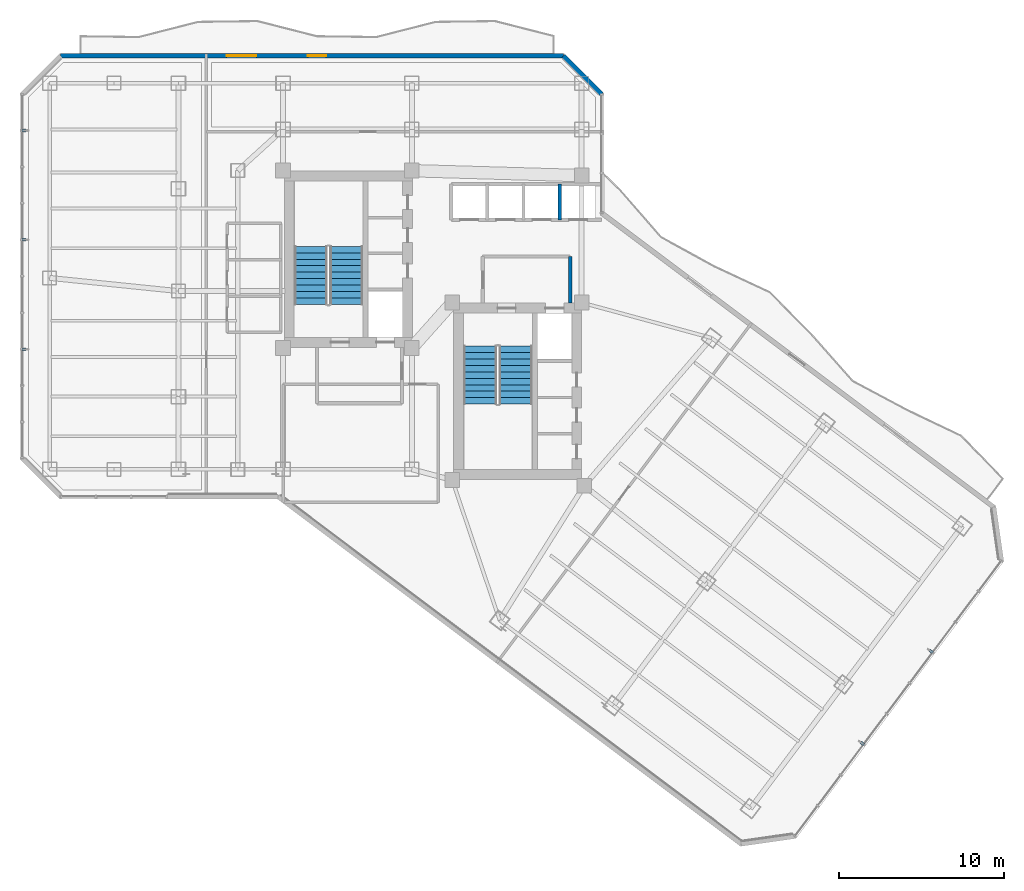
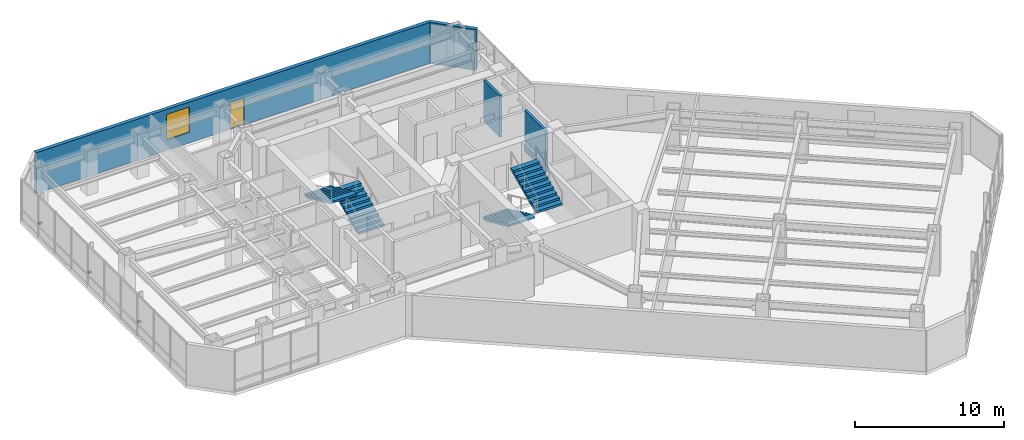
# One storey, part 24 of 29: 5 discrete accessories, 4 stair flights, 4 walls, 1 door, 1 window, 2 openings, 2 elements without a shape of their own.
"""IFC4 building model written with IfcOpenShell, lengths in metres."""

from ifc_helpers import new_model, si_unit, direction, frame, frame_2d, origin, origin_2d, place, context, subcontext, project, spatial, polyline, rectangle, outline, extrude, material, layer, layer_set, type_object, element, fill, aggregate, save


model = new_model("IFC4")

# Units and contexts
model_context = context("Model", 3, precision=1e-05, world=origin(), true_north=direction((0.0, 1.0)))
body_context = subcontext(model_context, "Body", "Model", "MODEL_VIEW")
ifc_project = project(units=[si_unit("LENGTHUNIT", "METRE"), si_unit("AREAUNIT", "SQUARE_METRE"), si_unit("VOLUMEUNIT", "CUBIC_METRE"), si_unit("PLANEANGLEUNIT", "RADIAN"), si_unit("MASSUNIT", "GRAM", prefix="KILO")], contexts=[model_context])

# Site, building, storey
site_placement = place(None, origin())
site = spatial("IfcSite", under=ifc_project, at=site_placement, CompositionType="ELEMENT")
building_placement = place(site_placement, origin())
building = spatial("IfcBuilding", under=site, at=building_placement, Name="Hatsunagi Terrace Concourse", CompositionType="ELEMENT")
storey_placement = place(building_placement, frame((0.0, 0.0, 104.85009765625)))
storey = spatial("IfcBuildingStorey", under=building, at=storey_placement, Name="L27", CompositionType="ELEMENT", Elevation=104.85009765625)

# Walls
ifc_material_1 = material(Name="Acoustic mineral board", Category="gypsum")
ifc_layer_1 = layer(ifc_material_1, 0.199951171875)
ifc_layer_set_1 = layer_set([ifc_layer_1], Name="ShaftWall_EI120_200")
wall_type_1 = type_object("IfcWallType", Name="ShaftWall_EI120_200", PredefinedType="STANDARD", material=ifc_layer_set_1)
wall_1_placement = place(storey_placement, frame((42.949951171875, 35.27001953125, 0.0), z_axis=(0.0, 0.0, 1.0), x_axis=(0.0, 1.0, 0.0)))
element("IfcWall", 1, at=wall_1_placement, inside=storey, type_object=wall_type_1, Name="Interior Partition IW-L27-011", PredefinedType="STANDARD", context=body_context, shape_type="SweptSolid", body=[
    extrude(rectangle(XDim=2.830078125, YDim=0.199951171875, at=frame_2d((1.4150390625, 0.0))), origin(), (0.0, 0.0, 1.0), 3.349853515625),
])
wall_2_placement = place(storey_placement, frame((42.320068359375, 40.320068359375, 0.0), z_axis=(0.0, 0.0, 1.0), x_axis=(0.0, 1.0, 0.0)))
element("IfcWall", 2, at=wall_2_placement, inside=storey, type_object=wall_type_1, Name="Interior Partition IW-L27-017", PredefinedType="STANDARD", context=body_context, shape_type="SweptSolid", body=[
    extrude(rectangle(XDim=2.159912109375, YDim=0.199951171875, at=frame_2d((1.080078125, 0.0))), origin(), (0.0, 0.0, 1.0), 3.349853515625),
])

# Wall, openings, door, window
ifc_material_2 = material(Name="Autoclaved Lightweight Concrete and Terracotta Cladding", Category="masonry")
ifc_layer_2 = layer(ifc_material_2, 0.280029296875)
ifc_layer_set_2 = layer_set([ifc_layer_2], Name="TerracottaSpandrelWall_280")
wall_type_2 = type_object("IfcWallType", Name="TerracottaSpandrelWall_280", PredefinedType="STANDARD", material=ifc_layer_set_2)
wall_3_placement = place(storey_placement, frame((12.05810546875, 50.260009765625, 0.0), z_axis=(0.0, 0.0, 1.0), x_axis=(1.0, 0.0, 0.0)))
wall_3 = element("IfcWall", 3, at=wall_3_placement, inside=storey, type_object=wall_type_2, Name="Exterior Spandrel Wall EW-L27-11", PredefinedType="STANDARD", context=body_context, shape_type="SweptSolid", body=[
    extrude(rectangle(XDim=30.48388671875, YDim=0.280029296875, at=frame_2d((15.241943359375, 0.0))), origin(), (0.0, 0.0, 1.0), 3.349853515625),
])
opening_1_placement = place(wall_3_placement, frame((14.991943359375, 0.0, 0.0)))
opening_1 = element("IfcOpeningElement", 4, at=opening_1_placement, cuts=wall_3, Name="Opening BD-01", PredefinedType="OPENING", context=body_context, shape_type="SweptSolid", body=[
    extrude(rectangle(XDim=1.10009765625, YDim=2.199951171875, at=frame_2d((0.550048828125, 1.10009765625))), frame((0.0, 0.14990234375, 0.0), z_axis=(0.0, -1.0, 0.0), x_axis=(1.0, 0.0, 0.0)), (0.0, 0.0, 1.0), 0.300048828125),
])
opening_2_placement = place(wall_3_placement, frame((10.073974609375, 0.0, 0.85009765625)))
opening_2 = element("IfcOpeningElement", 5, at=opening_2_placement, cuts=wall_3, Name="Opening WIN-03", PredefinedType="OPENING", context=body_context, shape_type="SweptSolid", body=[
    extrude(rectangle(XDim=1.800048828125, YDim=2.10009765625, at=frame_2d((0.89990234375, 1.050048828125))), frame((0.0, 0.14990234375, 0.0), z_axis=(0.0, -1.0, 0.0), x_axis=(1.0, 0.0, 0.0)), (0.0, 0.0, 1.0), 0.300048828125),
])
ifc_material_3 = material(Name="Galvanised Steel and Laminated Safety Glass", Category="steel")
door_type = type_object("IfcDoorType", Name="BalconyTerraceAccessDoor_1100x2200", OperationType="SINGLE_SWING_LEFT", PredefinedType="DOOR", material=ifc_material_3)
door_placement = place(opening_1_placement, origin())
door = element("IfcDoor", 6, at=door_placement, inside=storey, type_object=door_type, Name="Engawa Balcony Door L27-BN", OperationType="SINGLE_SWING_RIGHT", OverallHeight=2.199951171875, OverallWidth=1.10009765625, PredefinedType="DOOR", context=body_context, shape_type="SweptSolid", body=[
    extrude(rectangle(XDim=1.10009765625, YDim=2.199951171875, at=frame_2d((0.550048828125, 1.10009765625))), frame((0.0, 0.02490234375, 0.0), z_axis=(0.0, -1.0, 0.0), x_axis=(1.0, 0.0, 0.0)), (0.0, 0.0, 1.0), 0.050048828125),
])
fill(opening_1, door)
ifc_material_4 = material(Name="Thermally Broken Aluminium and Low-E Triple Glazing", Category="aluminium")
window_type = type_object("IfcWindowType", Name="OfficeCornerFeatureWindow_1800x2100", PartitioningType="SINGLE_PANEL", PredefinedType="WINDOW", material=ifc_material_4)
window_placement = place(opening_2_placement, origin())
window = element("IfcWindow", 7, at=window_placement, inside=storey, type_object=window_type, Name="Balcony Daylighting Window L27-11-1", OverallHeight=2.10009765625, OverallWidth=1.800048828125, PartitioningType="SINGLE_PANEL", PredefinedType="WINDOW", context=body_context, shape_type="SweptSolid", body=[
    extrude(rectangle(XDim=1.800048828125, YDim=2.10009765625, at=frame_2d((0.89990234375, 1.050048828125))), frame((0.0, 0.030029296875, 0.0), z_axis=(0.0, -1.0, 0.0), x_axis=(1.0, 0.0, 0.0)), (0.0, 0.0, 1.0), 0.06005859375),
])
fill(opening_2, window)

# Wall
wall_4_placement = place(storey_placement, frame((42.5419921875, 50.260009765625, 0.0), z_axis=(0.0, 0.0, 1.0), x_axis=(0.707106781187, -0.707106781187, 0.0)))
element("IfcWall", 8, at=wall_4_placement, inside=storey, type_object=wall_type_2, Name="Exterior Spandrel Wall EW-L27-12", PredefinedType="STANDARD", context=body_context, shape_type="SweptSolid", body=[
    extrude(rectangle(XDim=3.2783203125, YDim=0.280029296875, at=frame_2d((1.63916015625, 0.0))), origin(), (0.0, 0.0, 1.0), 3.349853515625),
])

# Stair, stair flights
ifc_material_5 = material(Name="Concrete Fc42", Category="concrete")
stair_type = type_object("IfcStairType", Name="DoglegExitStair_Tower2000_20R_180", PredefinedType="HALF_TURN_STAIR", material=ifc_material_5)
stair_1_placement = place(storey_placement, origin())
stair_1 = element("IfcStair", 9, at=stair_1_placement, inside=storey, type_object=stair_type, Name="L27 Core A Protected Exit Stair ST-A", PredefinedType="HALF_TURN_STAIR")
ifc_material_6 = material(Name="Concrete Fc42", Category="concrete")
stair_flight_type = type_object("IfcStairFlightType", Name="DoglegStairFlight_Tower2000_20R_180", PredefinedType="STRAIGHT", material=ifc_material_6)
stair_flight_1_placement = place(storey_placement, frame((29.3798828125, 35.199951171875, 0.0), z_axis=(0.0, 0.0, 1.0), x_axis=(0.0, 1.0, 0.0)))
stair_flight_1 = element("IfcStairFlight", 10, at=stair_flight_1_placement, type_object=stair_flight_type, Name="ST-A flight 1", NumberOfRisers=10, NumberOfTreads=9, PredefinedType="STRAIGHT", RiserHeight=0.18, TreadLength=0.39, context=body_context, shape_type="SweptSolid", body=[
    extrude(outline(polyline([(0.0, 0.0), (0.0, 0.179931640625), (0.389892578125, 0.179931640625), (0.389892578125, 0.360107421875), (0.780029296875, 0.360107421875), (0.780029296875, 0.5400390625), (1.169921875, 0.5400390625), (1.169921875, 0.719970703125), (1.56005859375, 0.719970703125), (1.56005859375, 0.89990234375), (1.949951171875, 0.89990234375), (1.949951171875, 1.080078125), (2.340087890625, 1.080078125), (2.340087890625, 1.260009765625), (2.72998046875, 1.260009765625), (2.72998046875, 1.43994140625), (3.1201171875, 1.43994140625), (3.1201171875, 1.6201171875), (3.510009765625, 1.6201171875), (3.510009765625, 1.800048828125), (3.510009765625, 1.454833984375), (0.357666015625, 0.0), (0.0, 0.0)])), frame((0.0, 1.0, 0.0), z_axis=(0.0, -1.0, 0.0), x_axis=(1.0, 0.0, 0.0)), (0.0, 0.0, 1.0), 2.0),
])
stair_flight_2_placement = place(storey_placement, frame((27.22998046875, 38.7099609375, 1.7998046875), z_axis=(0.0, 0.0, 1.0), x_axis=(0.0, -1.0, 0.0)))
stair_flight_2 = element("IfcStairFlight", 11, at=stair_flight_2_placement, type_object=stair_flight_type, Name="ST-A flight 2", NumberOfRisers=10, NumberOfTreads=9, PredefinedType="STRAIGHT", RiserHeight=0.18, TreadLength=0.39, context=body_context, shape_type="SweptSolid", body=[
    extrude(outline(polyline([(0.0, 0.0), (0.0, 0.179931640625), (0.389892578125, 0.179931640625), (0.389892578125, 0.360107421875), (0.780029296875, 0.360107421875), (0.780029296875, 0.5400390625), (1.169921875, 0.5400390625), (1.169921875, 0.719970703125), (1.56005859375, 0.719970703125), (1.56005859375, 0.89990234375), (1.949951171875, 0.89990234375), (1.949951171875, 1.080078125), (2.340087890625, 1.080078125), (2.340087890625, 1.260009765625), (2.72998046875, 1.260009765625), (2.72998046875, 1.43994140625), (3.1201171875, 1.43994140625), (3.1201171875, 1.6201171875), (3.510009765625, 1.6201171875), (3.510009765625, 1.800048828125), (3.510009765625, 1.454833984375), (0.357666015625, 0.0), (0.0, 0.0)])), frame((0.0, 1.0, 0.0), z_axis=(0.0, -1.0, 0.0), x_axis=(1.0, 0.0, 0.0)), (0.0, 0.0, 1.0), 2.0),
])
aggregate(stair_1, [stair_flight_1, stair_flight_2])

stair_2_placement = place(storey_placement, origin())
stair_2 = element("IfcStair", 12, at=stair_2_placement, inside=storey, type_object=stair_type, Name="L27 Core B Protected Exit Stair ST-B", PredefinedType="HALF_TURN_STAIR")
stair_flight_3_placement = place(storey_placement, frame((37.5, 32.659912109375, 0.0), z_axis=(0.0, 0.0, 1.0), x_axis=(0.0, -1.0, 0.0)))
stair_flight_3 = element("IfcStairFlight", 13, at=stair_flight_3_placement, type_object=stair_flight_type, Name="ST-B flight 1", NumberOfRisers=10, NumberOfTreads=9, PredefinedType="STRAIGHT", RiserHeight=0.18, TreadLength=0.39, context=body_context, shape_type="SweptSolid", body=[
    extrude(outline(polyline([(0.0, 0.0), (0.0, 0.179931640625), (0.389892578125, 0.179931640625), (0.389892578125, 0.360107421875), (0.780029296875, 0.360107421875), (0.780029296875, 0.5400390625), (1.169921875, 0.5400390625), (1.169921875, 0.719970703125), (1.56005859375, 0.719970703125), (1.56005859375, 0.89990234375), (1.949951171875, 0.89990234375), (1.949951171875, 1.080078125), (2.340087890625, 1.080078125), (2.340087890625, 1.260009765625), (2.72998046875, 1.260009765625), (2.72998046875, 1.43994140625), (3.1201171875, 1.43994140625), (3.1201171875, 1.6201171875), (3.510009765625, 1.6201171875), (3.510009765625, 1.800048828125), (3.510009765625, 1.454833984375), (0.357666015625, 0.0), (0.0, 0.0)])), frame((0.0, 1.0, 0.0), z_axis=(0.0, -1.0, 0.0), x_axis=(1.0, 0.0, 0.0)), (0.0, 0.0, 1.0), 2.0),
])
stair_flight_4_placement = place(storey_placement, frame((39.64990234375, 29.14990234375, 1.7998046875), z_axis=(0.0, 0.0, 1.0), x_axis=(0.0, 1.0, 0.0)))
stair_flight_4 = element("IfcStairFlight", 14, at=stair_flight_4_placement, type_object=stair_flight_type, Name="ST-B flight 2", NumberOfRisers=10, NumberOfTreads=9, PredefinedType="STRAIGHT", RiserHeight=0.18, TreadLength=0.39, context=body_context, shape_type="SweptSolid", body=[
    extrude(outline(polyline([(0.0, 0.0), (0.0, 0.179931640625), (0.389892578125, 0.179931640625), (0.389892578125, 0.360107421875), (0.780029296875, 0.360107421875), (0.780029296875, 0.5400390625), (1.169921875, 0.5400390625), (1.169921875, 0.719970703125), (1.56005859375, 0.719970703125), (1.56005859375, 0.89990234375), (1.949951171875, 0.89990234375), (1.949951171875, 1.080078125), (2.340087890625, 1.080078125), (2.340087890625, 1.260009765625), (2.72998046875, 1.260009765625), (2.72998046875, 1.43994140625), (3.1201171875, 1.43994140625), (3.1201171875, 1.6201171875), (3.510009765625, 1.6201171875), (3.510009765625, 1.800048828125), (3.510009765625, 1.454833984375), (0.357666015625, 0.0), (0.0, 0.0)])), frame((0.0, 1.0, 0.0), z_axis=(0.0, -1.0, 0.0), x_axis=(1.0, 0.0, 0.0)), (0.0, 0.0, 1.0), 2.0),
])
aggregate(stair_2, [stair_flight_3, stair_flight_4])

# Discrete accessories
ifc_material_7 = material(Name="Stainless Steel SUS316 Bracket", Category="steel")
discrete_accessory_type = type_object("IfcDiscreteAccessoryType", Name="FacadeScreenSupportBracket_SS", PredefinedType="BRACKET", material=ifc_material_7)
for number, where, z_axis, x_axis, name in (
    (15, (64.827880859375, 14.155029296875, 0.9697265625), (0.0, 0.0, 1.0), (-0.599969314634, -0.800023013105, 0.0), "Terracotta Screen Bracket BRK-01"),
    (16, (60.652099609375, 8.5849609375, 0.9697265625), (0.0, 0.0, 1.0), (-0.599969314634, -0.800023013105, 0.0), "Terracotta Screen Bracket BRK-01"),
    (17, (9.85009765625, 32.48291015625, 0.9697265625), (0.0, 0.0, 1.0), (0.0, 1.0, 0.0), "Terracotta Screen Bracket BRK-01"),
    (18, (9.85009765625, 39.10791015625, 0.9697265625), (0.0, 0.0, 1.0), (0.0, 1.0, 0.0), "Terracotta Screen Bracket BRK-01"),
    (19, (9.85009765625, 45.73388671875, 0.9697265625), (0.0, 0.0, 1.0), (0.0, 1.0, 0.0), "Terracotta Screen Bracket BRK-01"),
):
    element("IfcDiscreteAccessory", number, at=place(storey_placement, frame(where, z_axis=z_axis, x_axis=x_axis)), inside=storey, type_object=discrete_accessory_type, Name=name, PredefinedType="BRACKET", context=body_context, shape_type="SweptSolid", body=[
        extrude(rectangle(XDim=0.159912109375, YDim=0.239990234375, at=origin_2d()), origin(), (0.0, 0.0, 1.0), 0.159912109375),
    ])

save(model, "model.ifc")
